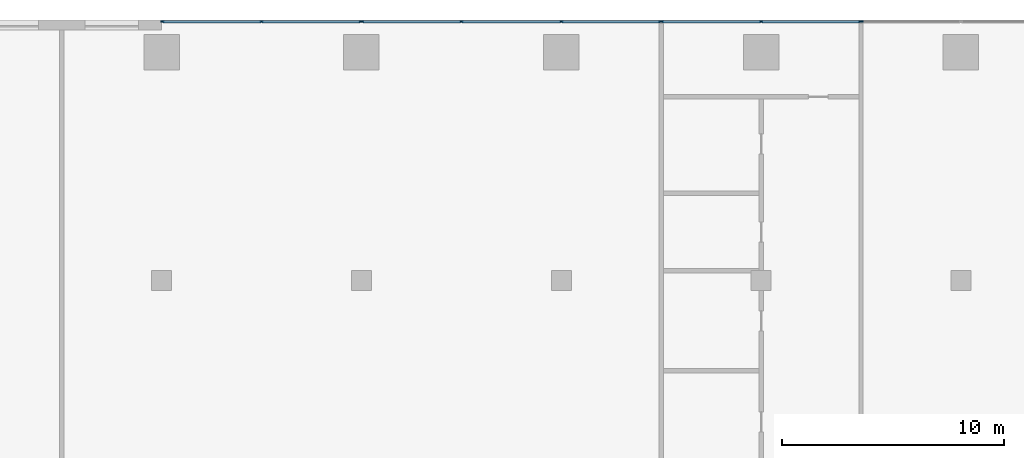
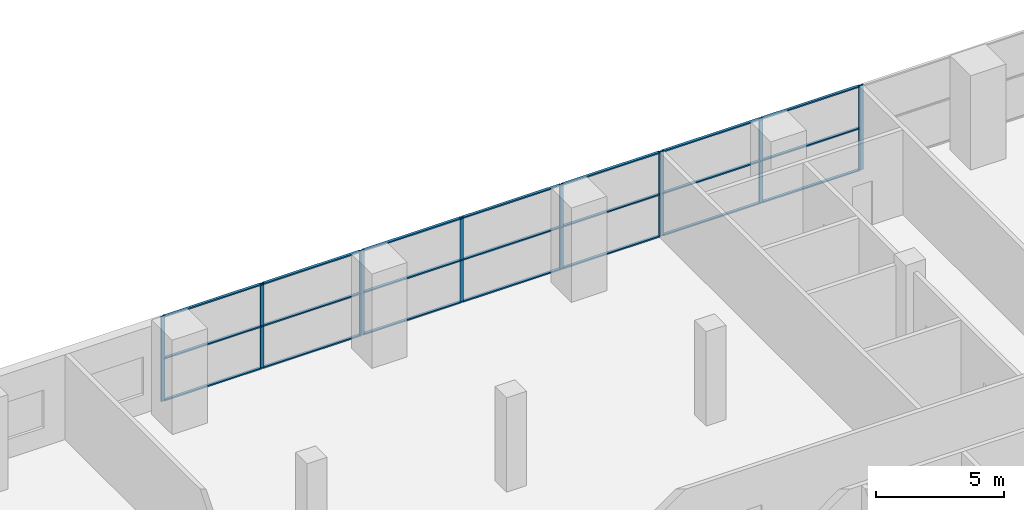
# One storey, part 3 of 19: 32 members, 4 elements without a shape of their own.
"""IFC4 building model written with IfcOpenShell, lengths in metres."""

from ifc_helpers import new_model, si_unit, direction, frame, origin, origin_2d, place, context, subcontext, project, spatial, rectangle, extrude, material, material_profile, profile_set, type_object, element, aggregate, save


model = new_model("IFC4")

# Units and contexts
model_context = context("Model", 3, precision=1e-05, world=origin(), true_north=direction((0.0, 1.0)))
body_context = subcontext(model_context, "Body", "Model", "MODEL_VIEW")
ifc_project = project(units=[si_unit("LENGTHUNIT", "METRE"), si_unit("AREAUNIT", "SQUARE_METRE"), si_unit("VOLUMEUNIT", "CUBIC_METRE"), si_unit("PLANEANGLEUNIT", "RADIAN"), si_unit("MASSUNIT", "GRAM", prefix="KILO")], contexts=[model_context])

# Site, building, storey
site_placement = place(None, origin())
site = spatial("IfcSite", under=ifc_project, at=site_placement, CompositionType="ELEMENT")
building_placement = place(site_placement, origin())
building = spatial("IfcBuilding", under=site, at=building_placement, Name="Kajstack Hotel Tower", CompositionType="ELEMENT")
storey_placement = place(building_placement, frame((0.0, 0.0, 33.5)))
storey = spatial("IfcBuildingStorey", under=building, at=storey_placement, Name="L05", CompositionType="ELEMENT", Elevation=33.5)

# Curtain wall, member
ifc_material_1 = material(Name="Aluminium-framed curtain wall, solar-control glass", Category="aluminium")
curtain_wall_type = type_object("IfcCurtainWallType", Name="CW-CLUB", PredefinedType="NOTDEFINED", material=ifc_material_1)
curtain_wall_1_placement = place(storey_placement, origin())
curtain_wall_1 = element("IfcCurtainWall", 1, at=curtain_wall_1_placement, inside=storey, type_object=curtain_wall_type, Name="Curtain wall CU4 L05-11-02-0", PredefinedType="NOTDEFINED")
ifc_material_2 = material(Name="Aluminium", Category="aluminium")
ifc_material_profile_1 = material_profile(ifc_material_2, rectangle(XDim=0.06005859375, YDim=0.159912109375, at=origin_2d()), Name="Aluminium mullion 60 x 160")
ifc_profile_set_1 = profile_set([ifc_material_profile_1], Name="Aluminium")
member_type_1 = type_object("IfcMemberType", Name="CW-M-CLUB", PredefinedType="MULLION", material=ifc_profile_set_1)
member_1_placement = place(storey_placement, frame((4.530029296875, 21.925048828125, 0.0), z_axis=(0.0, 0.0, 1.0), x_axis=(0.0, -1.0, 0.0)))
member_1 = element("IfcMember", 2, at=member_1_placement, type_object=member_type_1, Name="CU4 mullion 3", PredefinedType="MULLION", context=body_context, shape_type="SweptSolid", body=[
    extrude(rectangle(XDim=0.06005859375, YDim=0.159912109375, at=origin_2d()), origin(), (0.0, 0.0, 1.0), 4.050048828125),
])
aggregate(curtain_wall_1, [member_1])

# Curtain wall, members
curtain_wall_2_placement = place(storey_placement, origin())
curtain_wall_2 = element("IfcCurtainWall", 3, at=curtain_wall_2_placement, inside=storey, type_object=curtain_wall_type, Name="Curtain wall CU4 L05-11-02-1", PredefinedType="NOTDEFINED")
member_2_placement = place(storey_placement, frame((4.469970703125, 21.925048828125, 0.0), z_axis=(0.0, 0.0, 1.0), x_axis=(0.0, -1.0, 0.0)))
member_2 = element("IfcMember", 4, at=member_2_placement, type_object=member_type_1, Name="CU4 mullion 1", PredefinedType="MULLION", context=body_context, shape_type="SweptSolid", body=[
    extrude(rectangle(XDim=0.06005859375, YDim=0.159912109375, at=origin_2d()), origin(), (0.0, 0.0, 1.0), 4.050048828125),
])
member_3_placement = place(storey_placement, frame((0.0, 21.925048828125, 0.0), z_axis=(0.0, 0.0, 1.0), x_axis=(0.0, -1.0, 0.0)))
member_3 = element("IfcMember", 5, at=member_3_placement, type_object=member_type_1, Name="CU4 mullion 2", PredefinedType="MULLION", context=body_context, shape_type="SweptSolid", body=[
    extrude(rectangle(XDim=0.06005859375, YDim=0.159912109375, at=origin_2d()), origin(), (0.0, 0.0, 1.0), 4.050048828125),
])
member_4_placement = place(storey_placement, frame((-4.469970703125, 21.925048828125, 0.0), z_axis=(0.0, 0.0, 1.0), x_axis=(0.0, -1.0, 0.0)))
member_4 = element("IfcMember", 6, at=member_4_placement, type_object=member_type_1, Name="CU4 mullion 3", PredefinedType="MULLION", context=body_context, shape_type="SweptSolid", body=[
    extrude(rectangle(XDim=0.06005859375, YDim=0.159912109375, at=origin_2d()), origin(), (0.0, 0.0, 1.0), 4.050048828125),
])

curtain_wall_3_placement = place(storey_placement, origin())
curtain_wall_3 = element("IfcCurtainWall", 7, at=curtain_wall_3_placement, inside=storey, type_object=curtain_wall_type, Name="Curtain wall CU4 L05-11-02-2", PredefinedType="NOTDEFINED")
member_5_placement = place(storey_placement, frame((-4.530029296875, 21.925048828125, 0.0), z_axis=(0.0, 0.0, 1.0), x_axis=(0.0, -1.0, 0.0)))
member_5 = element("IfcMember", 8, at=member_5_placement, type_object=member_type_1, Name="CU4 mullion 1", PredefinedType="MULLION", context=body_context, shape_type="SweptSolid", body=[
    extrude(rectangle(XDim=0.06005859375, YDim=0.159912109375, at=origin_2d()), origin(), (0.0, 0.0, 1.0), 4.050048828125),
])
member_6_placement = place(storey_placement, frame((-9.0, 21.925048828125, 0.0), z_axis=(0.0, 0.0, 1.0), x_axis=(0.0, -1.0, 0.0)))
member_6 = element("IfcMember", 9, at=member_6_placement, type_object=member_type_1, Name="CU4 mullion 2", PredefinedType="MULLION", context=body_context, shape_type="SweptSolid", body=[
    extrude(rectangle(XDim=0.06005859375, YDim=0.159912109375, at=origin_2d()), origin(), (0.0, 0.0, 1.0), 4.050048828125),
])
member_7_placement = place(storey_placement, frame((-13.5, 21.925048828125, 0.0), z_axis=(0.0, 0.0, 1.0), x_axis=(0.0, -1.0, 0.0)))
member_7 = element("IfcMember", 10, at=member_7_placement, type_object=member_type_1, Name="CU4 mullion 3", PredefinedType="MULLION", context=body_context, shape_type="SweptSolid", body=[
    extrude(rectangle(XDim=0.06005859375, YDim=0.159912109375, at=origin_2d()), origin(), (0.0, 0.0, 1.0), 4.050048828125),
])
member_8_placement = place(storey_placement, frame((-17.969970703125, 21.925048828125, 0.0), z_axis=(0.0, 0.0, 1.0), x_axis=(0.0, -1.0, 0.0)))
member_8 = element("IfcMember", 11, at=member_8_placement, type_object=member_type_1, Name="CU4 mullion 4", PredefinedType="MULLION", context=body_context, shape_type="SweptSolid", body=[
    extrude(rectangle(XDim=0.06005859375, YDim=0.159912109375, at=origin_2d()), origin(), (0.0, 0.0, 1.0), 4.050048828125),
])

curtain_wall_4_placement = place(storey_placement, origin())
curtain_wall_4 = element("IfcCurtainWall", 12, at=curtain_wall_4_placement, inside=storey, type_object=curtain_wall_type, Name="Curtain wall CU4 L05-11-02-3", PredefinedType="NOTDEFINED")
member_9_placement = place(storey_placement, frame((-18.030029296875, 21.925048828125, 0.0), z_axis=(0.0, 0.0, 1.0), x_axis=(0.0, -1.0, 0.0)))
member_9 = element("IfcMember", 13, at=member_9_placement, type_object=member_type_1, Name="CU4 mullion 1", PredefinedType="MULLION", context=body_context, shape_type="SweptSolid", body=[
    extrude(rectangle(XDim=0.06005859375, YDim=0.159912109375, at=origin_2d()), origin(), (0.0, 0.0, 1.0), 4.050048828125),
])
member_10_placement = place(storey_placement, frame((-22.5, 21.925048828125, 0.0), z_axis=(0.0, 0.0, 1.0), x_axis=(0.0, -1.0, 0.0)))
member_10 = element("IfcMember", 14, at=member_10_placement, type_object=member_type_1, Name="CU4 mullion 2", PredefinedType="MULLION", context=body_context, shape_type="SweptSolid", body=[
    extrude(rectangle(XDim=0.06005859375, YDim=0.159912109375, at=origin_2d()), origin(), (0.0, 0.0, 1.0), 4.050048828125),
])
member_11_placement = place(storey_placement, frame((-26.969970703125, 21.925048828125, 0.0), z_axis=(0.0, 0.0, 1.0), x_axis=(0.0, -1.0, 0.0)))
member_11 = element("IfcMember", 15, at=member_11_placement, type_object=member_type_1, Name="CU4 mullion 3", PredefinedType="MULLION", context=body_context, shape_type="SweptSolid", body=[
    extrude(rectangle(XDim=0.06005859375, YDim=0.159912109375, at=origin_2d()), origin(), (0.0, 0.0, 1.0), 4.050048828125),
])

# Member
ifc_material_profile_2 = material_profile(ifc_material_2, rectangle(XDim=0.1201171875, YDim=0.06005859375, at=origin_2d()), Name="Aluminium transom 120 x 60")
ifc_profile_set_2 = profile_set([ifc_material_profile_2], Name="Aluminium")
member_type_2 = type_object("IfcMemberType", Name="CW-T-CLUB", PredefinedType="USERDEFINED", material=ifc_profile_set_2)
member_12_placement = place(storey_placement, frame((4.43994140625, 21.925048828125, 0.030029296875), z_axis=(-1.0, 0.0, 0.0), x_axis=(0.0, -1.0, 0.0)))
member_12 = element("IfcMember", 16, at=member_12_placement, type_object=member_type_2, Name="CU4 transom 1.1", ObjectType="TRANSOM", PredefinedType="USERDEFINED", context=body_context, shape_type="SweptSolid", body=[
    extrude(rectangle(XDim=0.1201171875, YDim=0.06005859375, at=origin_2d()), origin(), (0.0, 0.0, 1.0), 4.409912109375),
])

member_13_placement = place(storey_placement, frame((4.43994140625, 21.925048828125, 2.02490234375), z_axis=(-1.0, 0.0, 0.0), x_axis=(0.0, -1.0, 0.0)))
member_13 = element("IfcMember", 17, at=member_13_placement, type_object=member_type_2, Name="CU4 transom 1.2", ObjectType="TRANSOM", PredefinedType="USERDEFINED", context=body_context, shape_type="SweptSolid", body=[
    extrude(rectangle(XDim=0.1201171875, YDim=0.06005859375, at=origin_2d()), origin(), (0.0, 0.0, 1.0), 4.409912109375),
])

member_14_placement = place(storey_placement, frame((4.43994140625, 21.925048828125, 4.02001953125), z_axis=(-1.0, 0.0, 0.0), x_axis=(0.0, -1.0, 0.0)))
member_14 = element("IfcMember", 18, at=member_14_placement, type_object=member_type_2, Name="CU4 transom 1.3", ObjectType="TRANSOM", PredefinedType="USERDEFINED", context=body_context, shape_type="SweptSolid", body=[
    extrude(rectangle(XDim=0.1201171875, YDim=0.06005859375, at=origin_2d()), origin(), (0.0, 0.0, 1.0), 4.409912109375),
])

member_15_placement = place(storey_placement, frame((-0.030029296875, 21.925048828125, 0.030029296875), z_axis=(-1.0, 0.0, 0.0), x_axis=(0.0, -1.0, 0.0)))
member_15 = element("IfcMember", 19, at=member_15_placement, type_object=member_type_2, Name="CU4 transom 2.1", ObjectType="TRANSOM", PredefinedType="USERDEFINED", context=body_context, shape_type="SweptSolid", body=[
    extrude(rectangle(XDim=0.1201171875, YDim=0.06005859375, at=origin_2d()), origin(), (0.0, 0.0, 1.0), 4.409912109375),
])

member_16_placement = place(storey_placement, frame((-0.030029296875, 21.925048828125, 2.02490234375), z_axis=(-1.0, 0.0, 0.0), x_axis=(0.0, -1.0, 0.0)))
member_16 = element("IfcMember", 20, at=member_16_placement, type_object=member_type_2, Name="CU4 transom 2.2", ObjectType="TRANSOM", PredefinedType="USERDEFINED", context=body_context, shape_type="SweptSolid", body=[
    extrude(rectangle(XDim=0.1201171875, YDim=0.06005859375, at=origin_2d()), origin(), (0.0, 0.0, 1.0), 4.409912109375),
])

member_17_placement = place(storey_placement, frame((-0.030029296875, 21.925048828125, 4.02001953125), z_axis=(-1.0, 0.0, 0.0), x_axis=(0.0, -1.0, 0.0)))
member_17 = element("IfcMember", 21, at=member_17_placement, type_object=member_type_2, Name="CU4 transom 2.3", ObjectType="TRANSOM", PredefinedType="USERDEFINED", context=body_context, shape_type="SweptSolid", body=[
    extrude(rectangle(XDim=0.1201171875, YDim=0.06005859375, at=origin_2d()), origin(), (0.0, 0.0, 1.0), 4.409912109375),
])

aggregate(curtain_wall_2, [member_2, member_3, member_4, member_12, member_13, member_14, member_15, member_16, member_17])

member_18_placement = place(storey_placement, frame((-4.56005859375, 21.925048828125, 0.030029296875), z_axis=(-1.0, 0.0, 0.0), x_axis=(0.0, -1.0, 0.0)))
member_18 = element("IfcMember", 22, at=member_18_placement, type_object=member_type_2, Name="CU4 transom 1.1", ObjectType="TRANSOM", PredefinedType="USERDEFINED", context=body_context, shape_type="SweptSolid", body=[
    extrude(rectangle(XDim=0.1201171875, YDim=0.06005859375, at=origin_2d()), origin(), (0.0, 0.0, 1.0), 4.409912109375),
])

member_19_placement = place(storey_placement, frame((-4.56005859375, 21.925048828125, 2.02490234375), z_axis=(-1.0, 0.0, 0.0), x_axis=(0.0, -1.0, 0.0)))
member_19 = element("IfcMember", 23, at=member_19_placement, type_object=member_type_2, Name="CU4 transom 1.2", ObjectType="TRANSOM", PredefinedType="USERDEFINED", context=body_context, shape_type="SweptSolid", body=[
    extrude(rectangle(XDim=0.1201171875, YDim=0.06005859375, at=origin_2d()), origin(), (0.0, 0.0, 1.0), 4.409912109375),
])

member_20_placement = place(storey_placement, frame((-4.56005859375, 21.925048828125, 4.02001953125), z_axis=(-1.0, 0.0, 0.0), x_axis=(0.0, -1.0, 0.0)))
member_20 = element("IfcMember", 24, at=member_20_placement, type_object=member_type_2, Name="CU4 transom 1.3", ObjectType="TRANSOM", PredefinedType="USERDEFINED", context=body_context, shape_type="SweptSolid", body=[
    extrude(rectangle(XDim=0.1201171875, YDim=0.06005859375, at=origin_2d()), origin(), (0.0, 0.0, 1.0), 4.409912109375),
])

member_21_placement = place(storey_placement, frame((-9.030029296875, 21.925048828125, 0.030029296875), z_axis=(-1.0, 0.0, 0.0), x_axis=(0.0, -1.0, 0.0)))
member_21 = element("IfcMember", 25, at=member_21_placement, type_object=member_type_2, Name="CU4 transom 2.1", ObjectType="TRANSOM", PredefinedType="USERDEFINED", context=body_context, shape_type="SweptSolid", body=[
    extrude(rectangle(XDim=0.1201171875, YDim=0.06005859375, at=origin_2d()), origin(), (0.0, 0.0, 1.0), 4.43994140625),
])

member_22_placement = place(storey_placement, frame((-9.030029296875, 21.925048828125, 2.02490234375), z_axis=(-1.0, 0.0, 0.0), x_axis=(0.0, -1.0, 0.0)))
member_22 = element("IfcMember", 26, at=member_22_placement, type_object=member_type_2, Name="CU4 transom 2.2", ObjectType="TRANSOM", PredefinedType="USERDEFINED", context=body_context, shape_type="SweptSolid", body=[
    extrude(rectangle(XDim=0.1201171875, YDim=0.06005859375, at=origin_2d()), origin(), (0.0, 0.0, 1.0), 4.43994140625),
])

member_23_placement = place(storey_placement, frame((-9.030029296875, 21.925048828125, 4.02001953125), z_axis=(-1.0, 0.0, 0.0), x_axis=(0.0, -1.0, 0.0)))
member_23 = element("IfcMember", 27, at=member_23_placement, type_object=member_type_2, Name="CU4 transom 2.3", ObjectType="TRANSOM", PredefinedType="USERDEFINED", context=body_context, shape_type="SweptSolid", body=[
    extrude(rectangle(XDim=0.1201171875, YDim=0.06005859375, at=origin_2d()), origin(), (0.0, 0.0, 1.0), 4.43994140625),
])

member_24_placement = place(storey_placement, frame((-13.530029296875, 21.925048828125, 0.030029296875), z_axis=(-1.0, 0.0, 0.0), x_axis=(0.0, -1.0, 0.0)))
member_24 = element("IfcMember", 28, at=member_24_placement, type_object=member_type_2, Name="CU4 transom 3.1", ObjectType="TRANSOM", PredefinedType="USERDEFINED", context=body_context, shape_type="SweptSolid", body=[
    extrude(rectangle(XDim=0.1201171875, YDim=0.06005859375, at=origin_2d()), origin(), (0.0, 0.0, 1.0), 4.409912109375),
])

member_25_placement = place(storey_placement, frame((-13.530029296875, 21.925048828125, 2.02490234375), z_axis=(-1.0, 0.0, 0.0), x_axis=(0.0, -1.0, 0.0)))
member_25 = element("IfcMember", 29, at=member_25_placement, type_object=member_type_2, Name="CU4 transom 3.2", ObjectType="TRANSOM", PredefinedType="USERDEFINED", context=body_context, shape_type="SweptSolid", body=[
    extrude(rectangle(XDim=0.1201171875, YDim=0.06005859375, at=origin_2d()), origin(), (0.0, 0.0, 1.0), 4.409912109375),
])

member_26_placement = place(storey_placement, frame((-13.530029296875, 21.925048828125, 4.02001953125), z_axis=(-1.0, 0.0, 0.0), x_axis=(0.0, -1.0, 0.0)))
member_26 = element("IfcMember", 30, at=member_26_placement, type_object=member_type_2, Name="CU4 transom 3.3", ObjectType="TRANSOM", PredefinedType="USERDEFINED", context=body_context, shape_type="SweptSolid", body=[
    extrude(rectangle(XDim=0.1201171875, YDim=0.06005859375, at=origin_2d()), origin(), (0.0, 0.0, 1.0), 4.409912109375),
])

aggregate(curtain_wall_3, [member_5, member_6, member_7, member_8, member_18, member_19, member_20, member_21, member_22, member_23, member_24, member_25, member_26])

member_27_placement = place(storey_placement, frame((-18.06005859375, 21.925048828125, 0.030029296875), z_axis=(-1.0, 0.0, 0.0), x_axis=(0.0, -1.0, 0.0)))
member_27 = element("IfcMember", 31, at=member_27_placement, type_object=member_type_2, Name="CU4 transom 1.1", ObjectType="TRANSOM", PredefinedType="USERDEFINED", context=body_context, shape_type="SweptSolid", body=[
    extrude(rectangle(XDim=0.1201171875, YDim=0.06005859375, at=origin_2d()), origin(), (0.0, 0.0, 1.0), 4.409912109375),
])

member_28_placement = place(storey_placement, frame((-18.06005859375, 21.925048828125, 2.02490234375), z_axis=(-1.0, 0.0, 0.0), x_axis=(0.0, -1.0, 0.0)))
member_28 = element("IfcMember", 32, at=member_28_placement, type_object=member_type_2, Name="CU4 transom 1.2", ObjectType="TRANSOM", PredefinedType="USERDEFINED", context=body_context, shape_type="SweptSolid", body=[
    extrude(rectangle(XDim=0.1201171875, YDim=0.06005859375, at=origin_2d()), origin(), (0.0, 0.0, 1.0), 4.409912109375),
])

member_29_placement = place(storey_placement, frame((-18.06005859375, 21.925048828125, 4.02001953125), z_axis=(-1.0, 0.0, 0.0), x_axis=(0.0, -1.0, 0.0)))
member_29 = element("IfcMember", 33, at=member_29_placement, type_object=member_type_2, Name="CU4 transom 1.3", ObjectType="TRANSOM", PredefinedType="USERDEFINED", context=body_context, shape_type="SweptSolid", body=[
    extrude(rectangle(XDim=0.1201171875, YDim=0.06005859375, at=origin_2d()), origin(), (0.0, 0.0, 1.0), 4.409912109375),
])

member_30_placement = place(storey_placement, frame((-22.530029296875, 21.925048828125, 0.030029296875), z_axis=(-1.0, 0.0, 0.0), x_axis=(0.0, -1.0, 0.0)))
member_30 = element("IfcMember", 34, at=member_30_placement, type_object=member_type_2, Name="CU4 transom 2.1", ObjectType="TRANSOM", PredefinedType="USERDEFINED", context=body_context, shape_type="SweptSolid", body=[
    extrude(rectangle(XDim=0.1201171875, YDim=0.06005859375, at=origin_2d()), origin(), (0.0, 0.0, 1.0), 4.409912109375),
])

member_31_placement = place(storey_placement, frame((-22.530029296875, 21.925048828125, 2.02490234375), z_axis=(-1.0, 0.0, 0.0), x_axis=(0.0, -1.0, 0.0)))
member_31 = element("IfcMember", 35, at=member_31_placement, type_object=member_type_2, Name="CU4 transom 2.2", ObjectType="TRANSOM", PredefinedType="USERDEFINED", context=body_context, shape_type="SweptSolid", body=[
    extrude(rectangle(XDim=0.1201171875, YDim=0.06005859375, at=origin_2d()), origin(), (0.0, 0.0, 1.0), 4.409912109375),
])

member_32_placement = place(storey_placement, frame((-22.530029296875, 21.925048828125, 4.02001953125), z_axis=(-1.0, 0.0, 0.0), x_axis=(0.0, -1.0, 0.0)))
member_32 = element("IfcMember", 36, at=member_32_placement, type_object=member_type_2, Name="CU4 transom 2.3", ObjectType="TRANSOM", PredefinedType="USERDEFINED", context=body_context, shape_type="SweptSolid", body=[
    extrude(rectangle(XDim=0.1201171875, YDim=0.06005859375, at=origin_2d()), origin(), (0.0, 0.0, 1.0), 4.409912109375),
])

aggregate(curtain_wall_4, [member_9, member_10, member_11, member_27, member_28, member_29, member_30, member_31, member_32])

save(model, "model.ifc")
